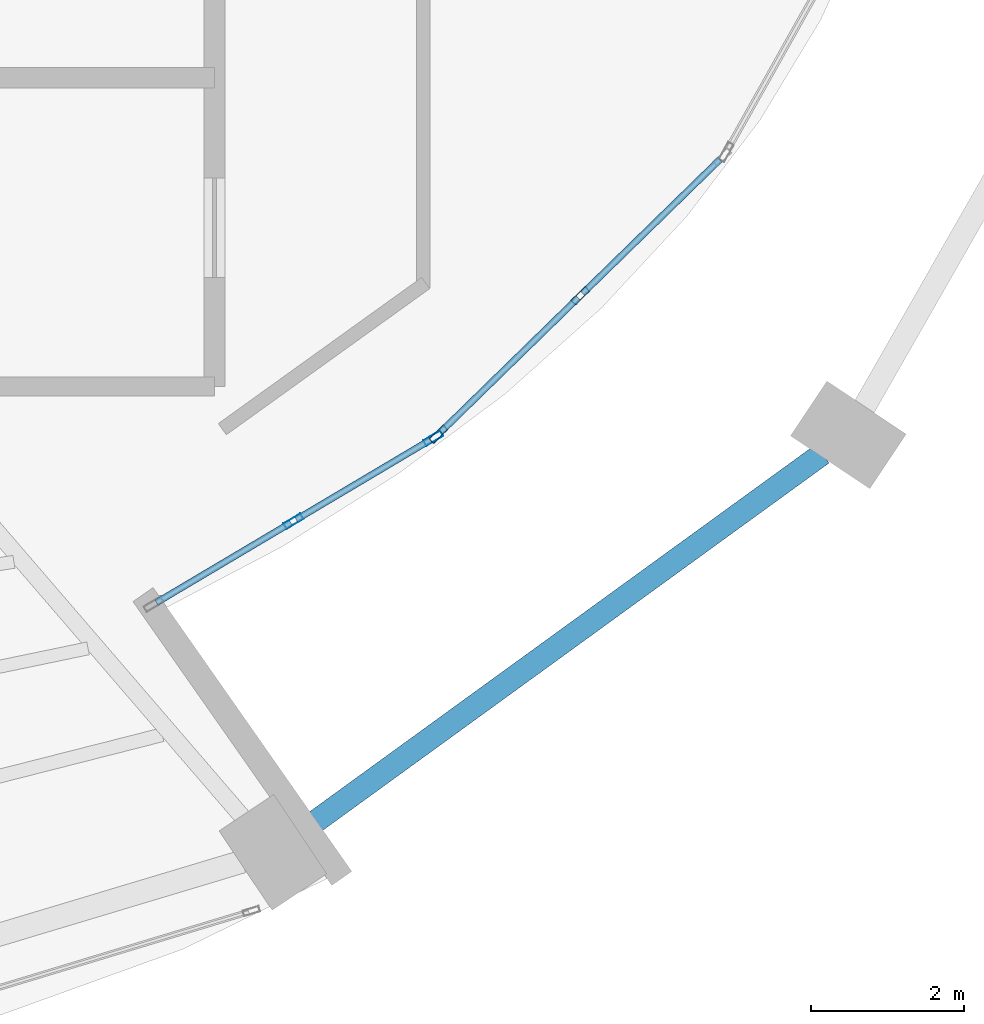
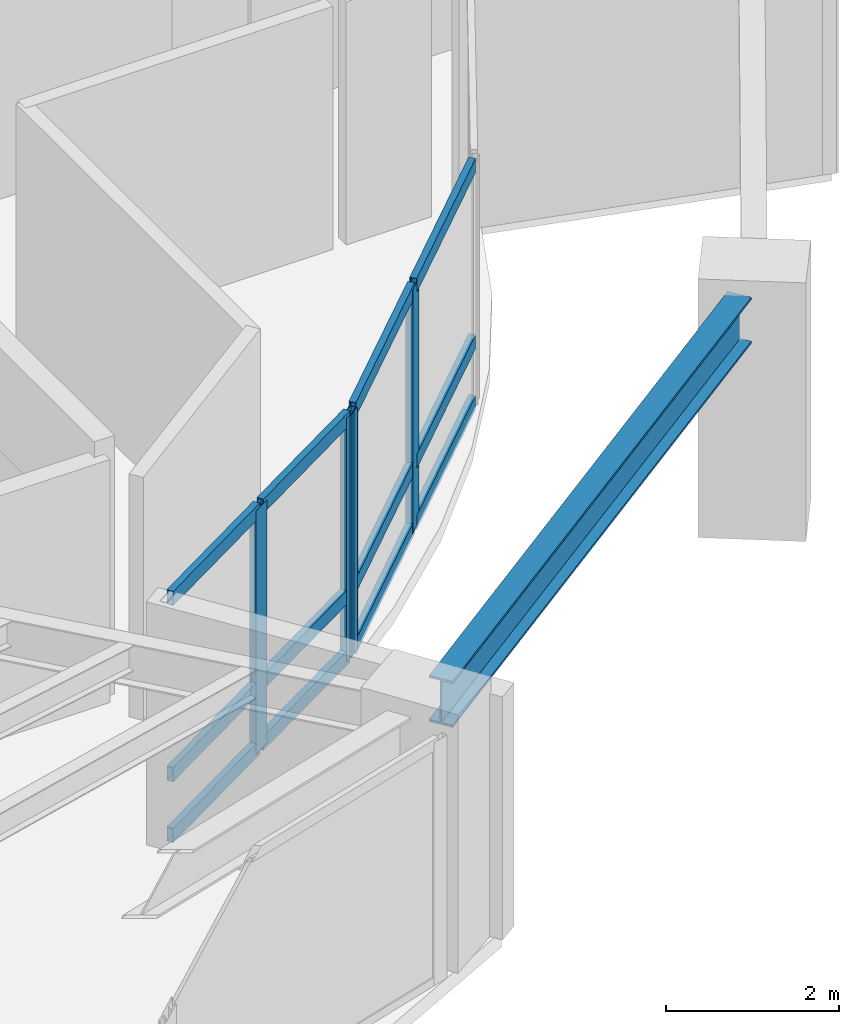
# One storey, part 10 of 24: 16 members, 1 beam, 2 elements without a shape of their own.
"""IFC4 building model written with IfcOpenShell, lengths in metres."""

from ifc_helpers import new_model, si_unit, direction, frame, origin, origin_2d, place, context, subcontext, project, spatial, hollow_rectangle, i_section, extrude, material, layer, layer_set, material_profile, profile_set, type_object, element, aggregate, save


model = new_model("IFC4")

# Units and contexts
model_context = context("Model", 3, precision=1e-05, world=origin(), true_north=direction((0.0, 1.0)))
body_context = subcontext(model_context, "Body", "Model", "MODEL_VIEW")
ifc_project = project(units=[si_unit("LENGTHUNIT", "METRE"), si_unit("AREAUNIT", "SQUARE_METRE"), si_unit("VOLUMEUNIT", "CUBIC_METRE"), si_unit("PLANEANGLEUNIT", "RADIAN"), si_unit("MASSUNIT", "GRAM", prefix="KILO")], contexts=[model_context])

# Site, building, storey
site_placement = place(None, origin())
site = spatial("IfcSite", under=ifc_project, at=site_placement, CompositionType="ELEMENT")
building_placement = place(site_placement, origin())
building = spatial("IfcBuilding", under=site, at=building_placement, Name="Lazwardi Medical Tower", CompositionType="ELEMENT")
storey_placement = place(building_placement, frame((0.0, 0.0, 61.679931640625)))
storey = spatial("IfcBuildingStorey", under=building, at=storey_placement, Name="L15", CompositionType="ELEMENT", Elevation=61.679931640625)

# Beam
ifc_material_1 = material(Name="Steel S355", Category="steel")
ifc_material_profile_1 = material_profile(ifc_material_1, i_section(OverallWidth=0.300048828125, OverallDepth=0.64990234375, WebThickness=0.01611328125, FlangeThickness=0.031005859375, at=origin_2d()), Name="HEB 650")
ifc_profile_set_1 = profile_set([ifc_material_profile_1], Name="Steel S355")
beam_type = type_object("IfcBeamType", Name="BM-RB-Z1", PredefinedType="BEAM", material=ifc_profile_set_1)
beam_placement = place(storey_placement, frame((51.52099609375, 14.16259765625, 3.10302734375), z_axis=(0.80939338516, 0.5872668457, 0.0), x_axis=(-0.5872668457, 0.80939338516, 0.0)))
element("IfcBeam", 1, at=beam_placement, inside=storey, type_object=beam_type, Name="Ring beam RB-02 B02 L15", PredefinedType="BEAM", context=body_context, shape_type="SweptSolid", body=[
    extrude(i_section(OverallWidth=0.300048828125, OverallDepth=0.64990234375, WebThickness=0.01611328125, FlangeThickness=0.031005859375, at=origin_2d()), origin(), (0.0, 0.0, 1.0), 8.47412109375),
])

# Curtain wall, members
ifc_material_2 = material(Name="Anodised bronze aluminium and solar control glazing", Category="aluminium")
ifc_layer = layer(ifc_material_2, 0.239990234375)
ifc_layer_set = layer_set([ifc_layer], Name="Anodised bronze aluminium and solar control glazing")
curtain_wall_type = type_object("IfcCurtainWallType", Name="CW-SYS-05", PredefinedType="NOTDEFINED", material=ifc_layer_set)
curtain_wall_1_placement = place(storey_placement, origin())
curtain_wall_1 = element("IfcCurtainWall", 2, at=curtain_wall_1_placement, inside=storey, type_object=curtain_wall_type, Name="L15 Unitised bronze curtain wall CW-05", PredefinedType="NOTDEFINED")
ifc_material_3 = material(Name="Anodised bronze aluminium", Category="aluminium")
ifc_material_profile_2 = material_profile(ifc_material_3, hollow_rectangle(XDim=0.0849609375, YDim=0.260009765625, WallThickness=0.0048828125, at=origin_2d()), Name="ALU-MULLION 260x85x5")
ifc_profile_set_2 = profile_set([ifc_material_profile_2], Name="Anodised bronze aluminium")
member_type_1 = type_object("IfcMemberType", Name="CW-MUL-02", PredefinedType="MULLION", material=ifc_profile_set_2)
member_1_placement = place(storey_placement, frame((51.450439453125, 18.255615234375, 0.0), z_axis=(0.0, 0.0, 1.0), x_axis=(-0.510680174917, 0.859770759532, 0.0)))
member_1 = element("IfcMember", 3, at=member_1_placement, type_object=member_type_1, Name="CW-05 mullion 2", PredefinedType="MULLION", context=body_context, shape_type="SweptSolid", body=[
    extrude(hollow_rectangle(XDim=0.0849609375, YDim=0.260009765625, WallThickness=0.0048828125, at=origin_2d()), origin(), (0.0, 0.0, 1.0), 3.427978515625),
])
member_2_placement = place(storey_placement, frame((53.281982421875, 19.343505859375, 0.0), z_axis=(0.0, 0.0, 1.0), x_axis=(-0.510680174917, 0.859770759532, 0.0)))
member_2 = element("IfcMember", 4, at=member_2_placement, type_object=member_type_1, Name="CW-05 mullion 3", PredefinedType="MULLION", context=body_context, shape_type="SweptSolid", body=[
    extrude(hollow_rectangle(XDim=0.0849609375, YDim=0.260009765625, WallThickness=0.0048828125, at=origin_2d()), origin(), (0.0, 0.0, 1.0), 3.427978515625),
])

curtain_wall_2_placement = place(storey_placement, origin())
curtain_wall_2 = element("IfcCurtainWall", 5, at=curtain_wall_2_placement, inside=storey, type_object=curtain_wall_type, Name="L15 Unitised bronze curtain wall CW-05", PredefinedType="NOTDEFINED")
member_3_placement = place(storey_placement, frame((53.348876953125, 19.39501953125, 0.0), z_axis=(0.0, 0.0, 1.0), x_axis=(-0.698402153121, 0.715705548753, 0.0)))
member_3 = element("IfcMember", 6, at=member_3_placement, type_object=member_type_1, Name="CW-05 mullion 1", PredefinedType="MULLION", context=body_context, shape_type="SweptSolid", body=[
    extrude(hollow_rectangle(XDim=0.0849609375, YDim=0.260009765625, WallThickness=0.0048828125, at=origin_2d()), origin(), (0.0, 0.0, 1.0), 3.427978515625),
])
member_4_placement = place(storey_placement, frame((55.208740234375, 21.2099609375, 0.0), z_axis=(0.0, 0.0, 1.0), x_axis=(-0.698402153121, 0.715705548753, 0.0)))
member_4 = element("IfcMember", 7, at=member_4_placement, type_object=member_type_1, Name="CW-05 mullion 2", PredefinedType="MULLION", context=body_context, shape_type="SweptSolid", body=[
    extrude(hollow_rectangle(XDim=0.0849609375, YDim=0.260009765625, WallThickness=0.0048828125, at=origin_2d()), origin(), (0.0, 0.0, 1.0), 3.427978515625),
])

# Member
ifc_material_profile_3 = material_profile(ifc_material_3, hollow_rectangle(XDim=0.0849609375, YDim=0.199951171875, WallThickness=0.00439453125, at=origin_2d()), Name="ALU-TRANSOM 200x85x4.5")
ifc_profile_set_3 = profile_set([ifc_material_profile_3], Name="Anodised bronze aluminium")
member_type_2 = type_object("IfcMemberType", Name="CW-TRN-02", PredefinedType="USERDEFINED", material=ifc_profile_set_3)
member_5_placement = place(storey_placement, frame((49.6552734375, 17.189453125, 0.04248046875), z_axis=(0.859790874329, 0.510646308535, 0.0), x_axis=(-0.510646308535, 0.859790874329, 0.0)))
member_5 = element("IfcMember", 8, at=member_5_placement, type_object=member_type_2, Name="CW-05 transom 1.1", ObjectType="TRANSOM", PredefinedType="USERDEFINED", context=body_context, shape_type="SweptSolid", body=[
    extrude(hollow_rectangle(XDim=0.0849609375, YDim=0.199951171875, WallThickness=0.00439453125, at=origin_2d()), origin(), (0.0, 0.0, 1.0), 2.04541015625),
])

member_6_placement = place(storey_placement, frame((49.6552734375, 17.189453125, 0.900146484375), z_axis=(0.859790874329, 0.510646308535, 0.0), x_axis=(-0.510646308535, 0.859790874329, 0.0)))
member_6 = element("IfcMember", 9, at=member_6_placement, type_object=member_type_2, Name="CW-05 transom 1.2", ObjectType="TRANSOM", PredefinedType="USERDEFINED", context=body_context, shape_type="SweptSolid", body=[
    extrude(hollow_rectangle(XDim=0.0849609375, YDim=0.199951171875, WallThickness=0.00439453125, at=origin_2d()), origin(), (0.0, 0.0, 1.0), 2.04541015625),
])

member_7_placement = place(storey_placement, frame((49.6552734375, 17.189453125, 3.385498046875), z_axis=(0.859790874329, 0.510646308535, 0.0), x_axis=(-0.510646308535, 0.859790874329, 0.0)))
member_7 = element("IfcMember", 10, at=member_7_placement, type_object=member_type_2, Name="CW-05 transom 1.3", ObjectType="TRANSOM", PredefinedType="USERDEFINED", context=body_context, shape_type="SweptSolid", body=[
    extrude(hollow_rectangle(XDim=0.0849609375, YDim=0.199951171875, WallThickness=0.00439453125, at=origin_2d()), origin(), (0.0, 0.0, 1.0), 2.04541015625),
])

member_8_placement = place(storey_placement, frame((51.487060546875, 18.27734375, 0.04248046875), z_axis=(0.859759743788, 0.510698720345, 0.0), x_axis=(-0.510698720345, 0.859759743788, 0.0)))
member_8 = element("IfcMember", 11, at=member_8_placement, type_object=member_type_2, Name="CW-05 transom 2.1", ObjectType="TRANSOM", PredefinedType="USERDEFINED", context=body_context, shape_type="SweptSolid", body=[
    extrude(hollow_rectangle(XDim=0.0849609375, YDim=0.199951171875, WallThickness=0.00439453125, at=origin_2d()), origin(), (0.0, 0.0, 1.0), 2.045166015625),
])

member_9_placement = place(storey_placement, frame((51.487060546875, 18.27734375, 0.900146484375), z_axis=(0.859759743788, 0.510698720345, 0.0), x_axis=(-0.510698720345, 0.859759743788, 0.0)))
member_9 = element("IfcMember", 12, at=member_9_placement, type_object=member_type_2, Name="CW-05 transom 2.2", ObjectType="TRANSOM", PredefinedType="USERDEFINED", context=body_context, shape_type="SweptSolid", body=[
    extrude(hollow_rectangle(XDim=0.0849609375, YDim=0.199951171875, WallThickness=0.00439453125, at=origin_2d()), origin(), (0.0, 0.0, 1.0), 2.045166015625),
])

member_10_placement = place(storey_placement, frame((51.487060546875, 18.27734375, 3.385498046875), z_axis=(0.859759743788, 0.510698720345, 0.0), x_axis=(-0.510698720345, 0.859759743788, 0.0)))
member_10 = element("IfcMember", 13, at=member_10_placement, type_object=member_type_2, Name="CW-05 transom 2.3", ObjectType="TRANSOM", PredefinedType="USERDEFINED", context=body_context, shape_type="SweptSolid", body=[
    extrude(hollow_rectangle(XDim=0.0849609375, YDim=0.199951171875, WallThickness=0.00439453125, at=origin_2d()), origin(), (0.0, 0.0, 1.0), 2.045166015625),
])

aggregate(curtain_wall_1, [member_1, member_2, member_5, member_6, member_7, member_8, member_9, member_10])

member_11_placement = place(storey_placement, frame((53.37939453125, 19.424560546875, 0.04248046875), z_axis=(0.715650495532, 0.698458565875, 0.0), x_axis=(-0.698458565875, 0.715650495532, 0.0)))
member_11 = element("IfcMember", 14, at=member_11_placement, type_object=member_type_2, Name="CW-05 transom 1.1", ObjectType="TRANSOM", PredefinedType="USERDEFINED", context=body_context, shape_type="SweptSolid", body=[
    extrude(hollow_rectangle(XDim=0.0849609375, YDim=0.199951171875, WallThickness=0.00439453125, at=origin_2d()), origin(), (0.0, 0.0, 1.0), 2.513671875),
])

member_12_placement = place(storey_placement, frame((53.37939453125, 19.424560546875, 0.900146484375), z_axis=(0.715650495532, 0.698458565875, 0.0), x_axis=(-0.698458565875, 0.715650495532, 0.0)))
member_12 = element("IfcMember", 15, at=member_12_placement, type_object=member_type_2, Name="CW-05 transom 1.2", ObjectType="TRANSOM", PredefinedType="USERDEFINED", context=body_context, shape_type="SweptSolid", body=[
    extrude(hollow_rectangle(XDim=0.0849609375, YDim=0.199951171875, WallThickness=0.00439453125, at=origin_2d()), origin(), (0.0, 0.0, 1.0), 2.513671875),
])

member_13_placement = place(storey_placement, frame((53.37939453125, 19.424560546875, 3.385498046875), z_axis=(0.715650495532, 0.698458565875, 0.0), x_axis=(-0.698458565875, 0.715650495532, 0.0)))
member_13 = element("IfcMember", 16, at=member_13_placement, type_object=member_type_2, Name="CW-05 transom 1.3", ObjectType="TRANSOM", PredefinedType="USERDEFINED", context=body_context, shape_type="SweptSolid", body=[
    extrude(hollow_rectangle(XDim=0.0849609375, YDim=0.199951171875, WallThickness=0.00439453125, at=origin_2d()), origin(), (0.0, 0.0, 1.0), 2.513671875),
])

member_14_placement = place(storey_placement, frame((55.2392578125, 21.239501953125, 0.04248046875), z_axis=(0.715650495532, 0.698458565875, 0.0), x_axis=(-0.698458565875, 0.715650495532, 0.0)))
member_14 = element("IfcMember", 17, at=member_14_placement, type_object=member_type_2, Name="CW-05 transom 2.1", ObjectType="TRANSOM", PredefinedType="USERDEFINED", context=body_context, shape_type="SweptSolid", body=[
    extrude(hollow_rectangle(XDim=0.0849609375, YDim=0.199951171875, WallThickness=0.00439453125, at=origin_2d()), origin(), (0.0, 0.0, 1.0), 2.513671875),
])

member_15_placement = place(storey_placement, frame((55.2392578125, 21.239501953125, 0.900146484375), z_axis=(0.715650495532, 0.698458565875, 0.0), x_axis=(-0.698458565875, 0.715650495532, 0.0)))
member_15 = element("IfcMember", 18, at=member_15_placement, type_object=member_type_2, Name="CW-05 transom 2.2", ObjectType="TRANSOM", PredefinedType="USERDEFINED", context=body_context, shape_type="SweptSolid", body=[
    extrude(hollow_rectangle(XDim=0.0849609375, YDim=0.199951171875, WallThickness=0.00439453125, at=origin_2d()), origin(), (0.0, 0.0, 1.0), 2.513671875),
])

member_16_placement = place(storey_placement, frame((55.2392578125, 21.239501953125, 3.385498046875), z_axis=(0.715650495532, 0.698458565875, 0.0), x_axis=(-0.698458565875, 0.715650495532, 0.0)))
member_16 = element("IfcMember", 19, at=member_16_placement, type_object=member_type_2, Name="CW-05 transom 2.3", ObjectType="TRANSOM", PredefinedType="USERDEFINED", context=body_context, shape_type="SweptSolid", body=[
    extrude(hollow_rectangle(XDim=0.0849609375, YDim=0.199951171875, WallThickness=0.00439453125, at=origin_2d()), origin(), (0.0, 0.0, 1.0), 2.513671875),
])

aggregate(curtain_wall_2, [member_3, member_4, member_11, member_12, member_13, member_14, member_15, member_16])

save(model, "model.ifc")
